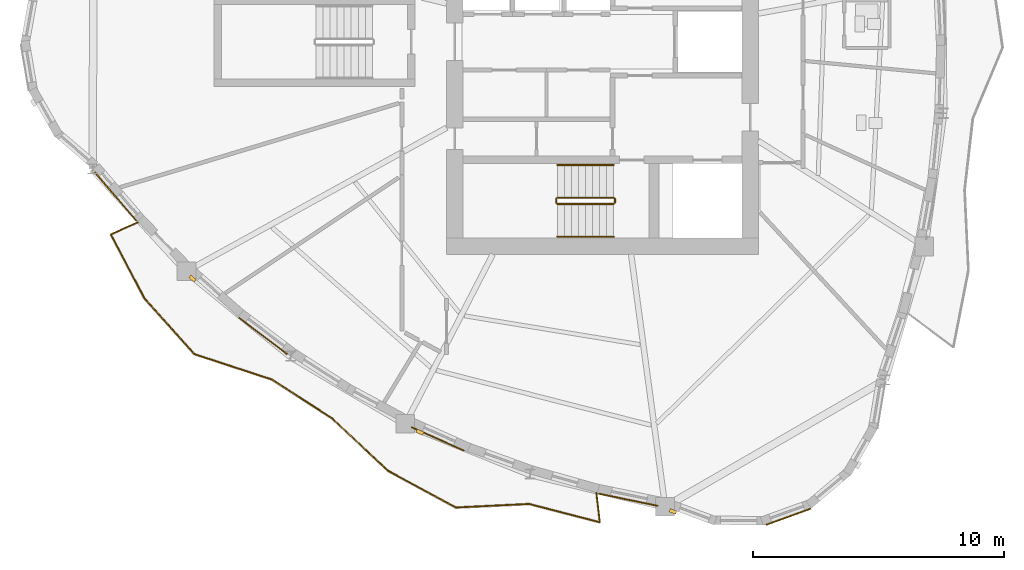
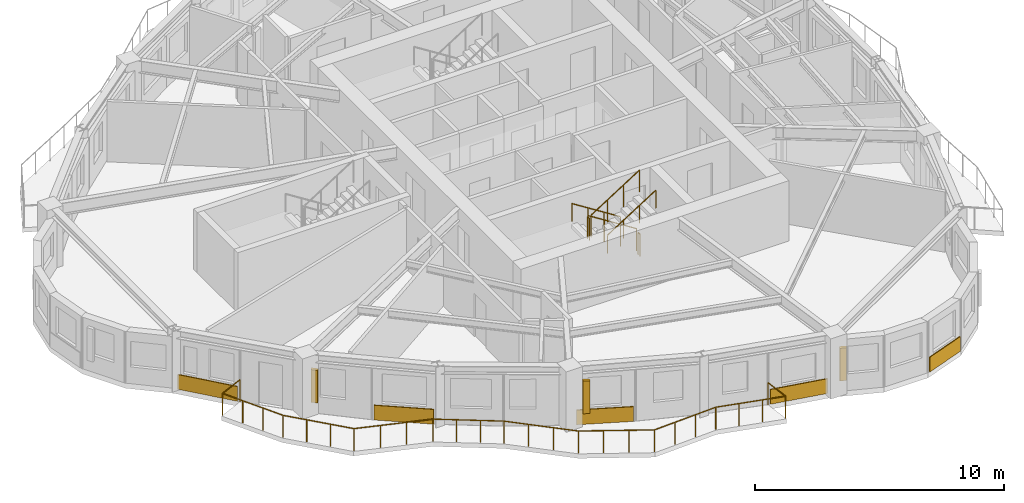
# One storey, part 9 of 12: 7 railings, 5 coverings, 3 shading devices.
"""IFC4 building model written with IfcOpenShell, lengths in metres."""

from ifc_helpers import new_model, si_unit, direction, frame, origin, origin_2d, place, context, subcontext, project, spatial, rectangle, circle, extrude, source, transform, mapped, material, layer, layer_set, type_object, element, save


model = new_model("IFC4")

# Units and contexts
model_context = context("Model", 3, precision=1e-05, world=origin(), true_north=direction((0.0, 1.0)))
body_context = subcontext(model_context, "Body", "Model", "MODEL_VIEW")
ifc_project = project(units=[si_unit("LENGTHUNIT", "METRE"), si_unit("AREAUNIT", "SQUARE_METRE"), si_unit("VOLUMEUNIT", "CUBIC_METRE"), si_unit("PLANEANGLEUNIT", "RADIAN"), si_unit("MASSUNIT", "GRAM", prefix="KILO")], contexts=[model_context])

# Site, building, storey
site_placement = place(None, origin())
site = spatial("IfcSite", under=ifc_project, at=site_placement, CompositionType="ELEMENT")
building_placement = place(site_placement, origin())
building = spatial("IfcBuilding", under=site, at=building_placement, Name="Qafzar Sky-Pleat Residences", CompositionType="ELEMENT")
storey_placement = place(building_placement, frame((0.0, 0.0, 142.60009765625)))
storey = spatial("IfcBuildingStorey", under=building, at=storey_placement, Name="L42", CompositionType="ELEMENT", Elevation=142.60009765625)

# Shading devices
ifc_material_1 = material(Name="Honed Riyadh limestone solar fin", Category="masonry")
ifc_layer_1 = layer(ifc_material_1, 0.139892578125)
ifc_layer_set_1 = layer_set([ifc_layer_1], Name="Honed Riyadh limestone solar fin")
shading_device_type = type_object("IfcShadingDeviceType", Name="SHD-FIN-STONE", PredefinedType="SHUTTER", material=ifc_layer_set_1)
shared_shape_1 = source(origin(), body_context, "Body", "SweptSolid", [
    extrude(rectangle(XDim=0.139892578125, YDim=0.280029296875, at=origin_2d()), origin(), (0.0, 0.0, 1.0), 1.60009765625),
])
for number, where, z_axis, x_axis, name in (
    (1, (14.044189453125, 16.58251953125, 0.599853515625), (0.0, 0.0, 1.0), (-0.660154622543, -0.751129732027, 0.0), "L42 Limestone Solar Fin 9"),
    (2, (23.09228515625, 10.475341796875, 0.599853515625), (0.0, 0.0, 1.0), (-0.407514902881, -0.913198556684, 0.0), "L42 Limestone Solar Fin 13"),
    (3, (33.1533203125, 7.322021484375, 0.599853515625), (0.0, 0.0, 1.0), (-0.349548623526, -0.936918224709, 0.0), "L42 Limestone Solar Fin 17"),
):
    element("IfcShadingDevice", number, at=place(storey_placement, frame(where, z_axis=z_axis, x_axis=x_axis)), inside=storey, type_object=shading_device_type, Name=name, PredefinedType="SHUTTER", context=body_context, shape_type="MappedRepresentation", body=[
        mapped(shared_shape_1, transform((0.0, 0.0, 0.0), x_axis=(1.0, 0.0, 0.0), y_axis=(0.0, 1.0, 0.0), z_axis=(0.0, 0.0, 1.0), scale=1.0)),
    ])

# Covering
ifc_material_2 = material(Name="Honed Riyadh Tuwaiq limestone cladding", Category="masonry")
ifc_layer_2 = layer(ifc_material_2, 0.044921875)
ifc_layer_set_2 = layer_set([ifc_layer_2], Name="Honed Riyadh Tuwaiq limestone cladding")
covering_type = type_object("IfcCoveringType", Name="COV-CLAD-STONE", PredefinedType="CLADDING", material=ifc_layer_set_2)
shared_shape_2 = source(origin(), body_context, "Body", "SweptSolid", [
    extrude(rectangle(XDim=1.897705078125, YDim=0.044921875, at=origin_2d()), origin(), (0.0, 0.0, 1.0), 0.719970703125),
])
covering_1_placement = place(storey_placement, frame((37.74560546875, 7.111328125, 0.02001953125), z_axis=(0.0, 0.0, 1.0), x_axis=(0.940241244016, 0.340509035199, 0.0)))
element("IfcCovering", 4, at=covering_1_placement, inside=storey, type_object=covering_type, Name="L42 Riyadh Limestone Spandrel Cladding 19", PredefinedType="CLADDING", context=body_context, shape_type="MappedRepresentation", body=[
    mapped(shared_shape_2, transform((0.0, 0.0, 0.0), x_axis=(1.0, 0.0, 0.0), y_axis=(0.0, 1.0, 0.0), z_axis=(0.0, 0.0, 1.0), scale=1.0)),
])

# Railing
ifc_material_3 = material(Name="Laminated glass and bronze steel balustrade", Category="steel")
railing_type_1 = type_object("IfcRailingType", Name="RAIL-BAL-1100", PredefinedType="BALUSTRADE", material=ifc_material_3)
shared_shape_3 = source(origin(), body_context, "Body", "SweptSolid", [
    extrude(circle(Radius=0.02392578125, at=origin_2d()), frame((0.0, 0.0, 1.076171875), z_axis=(-0.913554917383, -0.406715395486, 0.0), x_axis=(0.406715395486, -0.913554917383, 0.0)), (0.0, 0.0, 1.0), 1.177734375),
    extrude(circle(Radius=0.02392578125, at=origin_2d()), frame((-1.075927734375, -0.47900390625, 1.076171875), z_axis=(0.464378787341, -0.885636687286, 0.0), x_axis=(0.885636687286, 0.464378787341, 0.0)), (0.0, 0.0, 1.0), 2.87060546875),
    extrude(circle(Radius=0.02392578125, at=origin_2d()), frame((0.257080078125, -3.021240234375, 1.076171875), z_axis=(0.667835474356, -0.744308927255, 0.0), x_axis=(0.744308927255, 0.667835474356, 0.0)), (0.0, 0.0, 1.0), 2.98828125),
    extrude(circle(Radius=0.02392578125, at=origin_2d()), frame((2.252685546875, -5.245361328125, 1.076171875), z_axis=(0.950320557295, -0.311272932301, 0.0), x_axis=(0.311272932301, 0.950320557295, 0.0)), (0.0, 0.0, 1.0), 3.239990234375),
    extrude(circle(Radius=0.02392578125, at=origin_2d()), frame((5.331787109375, -6.25390625, 1.076171875), z_axis=(0.840382441824, -0.541993866639, 0.0), x_axis=(0.541993866639, 0.840382441824, 0.0)), (0.0, 0.0, 1.0), 2.84326171875),
    extrude(circle(Radius=0.02392578125, at=origin_2d()), frame((7.72119140625, -7.794921875, 1.076171875), z_axis=(0.730091672897, -0.683349214652, 0.0), x_axis=(0.683349214652, 0.730091672897, 0.0)), (0.0, 0.0, 1.0), 3.060791015625),
    extrude(circle(Radius=0.02392578125, at=origin_2d()), frame((9.955810546875, -9.886474609375, 1.076171875), z_axis=(0.879017095741, -0.476790253041, 0.0), x_axis=(0.476790253041, 0.879017095741, 0.0)), (0.0, 0.0, 1.0), 3.054931640625),
    extrude(circle(Radius=0.02392578125, at=origin_2d()), frame((12.64111328125, -11.343017578125, 1.076171875), z_axis=(0.998812648655, 0.048716453959, 0.0), x_axis=(-0.048716453959, 0.998812648655, 0.0)), (0.0, 0.0, 1.0), 2.921630859375),
    extrude(circle(Radius=0.02392578125, at=origin_2d()), frame((15.559326171875, -11.20068359375, 1.076171875), z_axis=(0.967804487232, -0.251703147565, 0.0), x_axis=(0.251703147565, 0.967804487232, 0.0)), (0.0, 0.0, 1.0), 2.904052734375),
    extrude(circle(Radius=0.02392578125, at=origin_2d()), frame((18.369873046875, -11.931640625, 1.076171875), z_axis=(-0.1166849202, 0.993168983304, 0.0), x_axis=(-0.993168983304, -0.1166849202, 0.0)), (0.0, 0.0, 1.0), 1.177978515625),
    extrude(circle(Radius=0.02099609375, at=origin_2d()), origin(), (0.0, 0.0, 1.0), 1.052001953125),
    extrude(circle(Radius=0.02099609375, at=origin_2d()), frame((-1.075927734375, -0.47900390625, 0.0)), (0.0, 0.0, 1.0), 1.052001953125),
    extrude(circle(Radius=0.02099609375, at=origin_2d()), frame((-0.631591796875, -1.326416015625, 0.0)), (0.0, 0.0, 1.0), 1.052001953125),
    extrude(circle(Radius=0.02099609375, at=origin_2d()), frame((-0.187255859375, -2.173828125, 0.0)), (0.0, 0.0, 1.0), 1.052001953125),
    extrude(circle(Radius=0.02099609375, at=origin_2d()), frame((0.257080078125, -3.021240234375, 0.0)), (0.0, 0.0, 1.0), 1.052001953125),
    extrude(circle(Radius=0.02099609375, at=origin_2d()), frame((0.92236328125, -3.7626953125, 0.0)), (0.0, 0.0, 1.0), 1.052001953125),
    extrude(circle(Radius=0.02099609375, at=origin_2d()), frame((1.58740234375, -4.50390625, 0.0)), (0.0, 0.0, 1.0), 1.052001953125),
    extrude(circle(Radius=0.02099609375, at=origin_2d()), frame((2.252685546875, -5.245361328125, 0.0)), (0.0, 0.0, 1.0), 1.052001953125),
    extrude(circle(Radius=0.02099609375, at=origin_2d()), frame((3.279052734375, -5.58154296875, 0.0)), (0.0, 0.0, 1.0), 1.052001953125),
    extrude(circle(Radius=0.02099609375, at=origin_2d()), frame((4.305419921875, -5.917724609375, 0.0)), (0.0, 0.0, 1.0), 1.052001953125),
    extrude(circle(Radius=0.02099609375, at=origin_2d()), frame((5.331787109375, -6.25390625, 0.0)), (0.0, 0.0, 1.0), 1.052001953125),
    extrude(circle(Radius=0.02099609375, at=origin_2d()), frame((6.128173828125, -6.767578125, 0.0)), (0.0, 0.0, 1.0), 1.052001953125),
    extrude(circle(Radius=0.02099609375, at=origin_2d()), frame((6.9248046875, -7.28125, 0.0)), (0.0, 0.0, 1.0), 1.052001953125),
    extrude(circle(Radius=0.02099609375, at=origin_2d()), frame((7.72119140625, -7.794921875, 0.0)), (0.0, 0.0, 1.0), 1.052001953125),
    extrude(circle(Radius=0.02099609375, at=origin_2d()), frame((8.466064453125, -8.4921875, 0.0)), (0.0, 0.0, 1.0), 1.052001953125),
    extrude(circle(Radius=0.02099609375, at=origin_2d()), frame((9.2109375, -9.189208984375, 0.0)), (0.0, 0.0, 1.0), 1.052001953125),
    extrude(circle(Radius=0.02099609375, at=origin_2d()), frame((9.955810546875, -9.886474609375, 0.0)), (0.0, 0.0, 1.0), 1.052001953125),
    extrude(circle(Radius=0.02099609375, at=origin_2d()), frame((10.850830078125, -10.3720703125, 0.0)), (0.0, 0.0, 1.0), 1.052001953125),
    extrude(circle(Radius=0.02099609375, at=origin_2d()), frame((11.74609375, -10.857421875, 0.0)), (0.0, 0.0, 1.0), 1.052001953125),
    extrude(circle(Radius=0.02099609375, at=origin_2d()), frame((12.64111328125, -11.343017578125, 0.0)), (0.0, 0.0, 1.0), 1.052001953125),
    extrude(circle(Radius=0.02099609375, at=origin_2d()), frame((13.61376953125, -11.295654296875, 0.0)), (0.0, 0.0, 1.0), 1.052001953125),
    extrude(circle(Radius=0.02099609375, at=origin_2d()), frame((14.586669921875, -11.248046875, 0.0)), (0.0, 0.0, 1.0), 1.052001953125),
    extrude(circle(Radius=0.02099609375, at=origin_2d()), frame((15.559326171875, -11.20068359375, 0.0)), (0.0, 0.0, 1.0), 1.052001953125),
    extrude(circle(Radius=0.02099609375, at=origin_2d()), frame((16.49609375, -11.4443359375, 0.0)), (0.0, 0.0, 1.0), 1.052001953125),
    extrude(circle(Radius=0.02099609375, at=origin_2d()), frame((17.43310546875, -11.68798828125, 0.0)), (0.0, 0.0, 1.0), 1.052001953125),
    extrude(circle(Radius=0.02099609375, at=origin_2d()), frame((18.369873046875, -11.931640625, 0.0)), (0.0, 0.0, 1.0), 1.052001953125),
    extrude(circle(Radius=0.02099609375, at=origin_2d()), frame((18.232421875, -10.76171875, 0.0)), (0.0, 0.0, 1.0), 1.052001953125),
])
railing_1_placement = place(storey_placement, frame((11.877197265625, 18.821533203125, 0.0)))
element("IfcRailing", 5, at=railing_1_placement, inside=storey, type_object=railing_type_1, Name="L42 Pleated Balcony 3 Balustrade", PredefinedType="BALUSTRADE", context=body_context, shape_type="MappedRepresentation", body=[
    mapped(shared_shape_3, transform((0.0, 0.0, 0.0), x_axis=(1.0, 0.0, 0.0), y_axis=(0.0, 1.0, 0.0), z_axis=(0.0, 0.0, 1.0), scale=1.0)),
])

# Coverings
shared_shape_4 = source(origin(), body_context, "Body", "SweptSolid", [
    extrude(rectangle(XDim=2.53173828125, YDim=0.044921875, at=origin_2d()), origin(), (0.0, 0.0, 1.0), 0.719970703125),
])
covering_2_placement = place(storey_placement, frame((10.981689453125, 19.851806640625, 0.02001953125), z_axis=(0.0, 0.0, 1.0), x_axis=(0.650337506648, -0.759645395857, 0.0)))
element("IfcCovering", 6, at=covering_2_placement, inside=storey, type_object=covering_type, Name="L42 Riyadh Limestone Spandrel Cladding 7", PredefinedType="CLADDING", context=body_context, shape_type="MappedRepresentation", body=[
    mapped(shared_shape_4, transform((0.0, 0.0, 0.0), x_axis=(1.0, 0.0, 0.0), y_axis=(0.0, 1.0, 0.0), z_axis=(0.0, 0.0, 1.0), scale=1.0)),
])
shared_shape_5 = source(origin(), body_context, "Body", "SweptSolid", [
    extrude(rectangle(XDim=2.411865234375, YDim=0.044921875, at=origin_2d()), origin(), (0.0, 0.0, 1.0), 0.719970703125),
])
covering_3_placement = place(storey_placement, frame((16.85595703125, 14.297119140625, 0.02001953125), z_axis=(0.0, 0.0, 1.0), x_axis=(0.798034410528, -0.602611881408, 0.0)))
element("IfcCovering", 7, at=covering_3_placement, inside=storey, type_object=covering_type, Name="L42 Riyadh Limestone Spandrel Cladding 10", PredefinedType="CLADDING", context=body_context, shape_type="MappedRepresentation", body=[
    mapped(shared_shape_5, transform((0.0, 0.0, 0.0), x_axis=(1.0, 0.0, 0.0), y_axis=(0.0, 1.0, 0.0), z_axis=(0.0, 0.0, 1.0), scale=1.0)),
])
shared_shape_6 = source(origin(), body_context, "Body", "SweptSolid", [
    extrude(rectangle(XDim=2.290283203125, YDim=0.044921875, at=origin_2d()), origin(), (0.0, 0.0, 1.0), 0.719970703125),
])
covering_4_placement = place(storey_placement, frame((23.803955078125, 10.204833984375, 0.02001953125), z_axis=(0.0, 0.0, 1.0), x_axis=(0.913204478407, -0.407501632655, 0.0)))
element("IfcCovering", 8, at=covering_4_placement, inside=storey, type_object=covering_type, Name="L42 Riyadh Limestone Spandrel Cladding 13", PredefinedType="CLADDING", context=body_context, shape_type="MappedRepresentation", body=[
    mapped(shared_shape_6, transform((0.0, 0.0, 0.0), x_axis=(1.0, 0.0, 0.0), y_axis=(0.0, 1.0, 0.0), z_axis=(0.0, 0.0, 1.0), scale=1.0)),
])
shared_shape_7 = source(origin(), body_context, "Body", "SweptSolid", [
    extrude(rectangle(XDim=2.410400390625, YDim=0.044921875, at=origin_2d()), origin(), (0.0, 0.0, 1.0), 0.719970703125),
])
covering_5_placement = place(storey_placement, frame((31.377685546875, 7.786865234375, 0.02001953125), z_axis=(0.0, 0.0, 1.0), x_axis=(0.979314287188, -0.202345068902, 0.0)))
element("IfcCovering", 9, at=covering_5_placement, inside=storey, type_object=covering_type, Name="L42 Riyadh Limestone Spandrel Cladding 16", PredefinedType="CLADDING", context=body_context, shape_type="MappedRepresentation", body=[
    mapped(shared_shape_7, transform((0.0, 0.0, 0.0), x_axis=(1.0, 0.0, 0.0), y_axis=(0.0, 1.0, 0.0), z_axis=(0.0, 0.0, 1.0), scale=1.0)),
])

# Railings
ifc_material_4 = material(Name="Painted Steel S355 stair guardrail", Category="steel")
railing_type_2 = type_object("IfcRailingType", Name="RAIL-STAIR-GUARD", PredefinedType="GUARDRAIL", material=ifc_material_4)
shared_shape_8 = source(origin(), body_context, "Body", "SweptSolid", [
    extrude(circle(Radius=0.02392578125, at=origin_2d()), frame((0.0, 0.0, 1.076171875), z_axis=(0.0, -1.0, 0.0), x_axis=(1.0, 0.0, 0.0)), (0.0, 0.0, 1.0), 0.14990234375),
    extrude(circle(Radius=0.02099609375, at=origin_2d()), origin(), (0.0, 0.0, 1.0), 1.052001953125),
    extrude(circle(Radius=0.02099609375, at=origin_2d()), frame((0.0, -0.14990234375, 0.0)), (0.0, 0.0, 1.0), 1.052001953125),
])
for number, where, name in (
    (10, (28.510009765625, 19.75, 1.599853515625), "L42 ST1 stair guard 2"),
    (11, (30.85009765625, 19.75, 0.0), "L42 ST1 stair guard 4"),
):
    element("IfcRailing", number, at=place(storey_placement, frame(where)), inside=storey, type_object=railing_type_2, Name=name, PredefinedType="GUARDRAIL", context=body_context, shape_type="MappedRepresentation", body=[
        mapped(shared_shape_8, transform((0.0, 0.0, 0.0), x_axis=(1.0, 0.0, 0.0), y_axis=(0.0, 1.0, 0.0), z_axis=(0.0, 0.0, 1.0), scale=1.0)),
    ])
shared_shape_9 = source(origin(), body_context, "Body", "SweptSolid", [
    extrude(circle(Radius=0.02392578125, at=origin_2d()), frame((0.0, 0.0, 1.076171875), z_axis=(-0.8442293374, 0.0, 0.53598211339), x_axis=(0.0, -1.0, 0.0)), (0.0, 0.0, 1.0), 2.6533203125),
    extrude(circle(Radius=0.02099609375, at=origin_2d()), origin(), (0.0, 0.0, 1.0), 1.052001953125),
    extrude(circle(Radius=0.02099609375, at=origin_2d()), frame((-0.74658203125, 0.0, 0.47412109375)), (0.0, 0.0, 1.0), 1.052001953125),
    extrude(circle(Radius=0.02099609375, at=origin_2d()), frame((-1.493408203125, 0.0, 0.947998046875)), (0.0, 0.0, 1.0), 1.052001953125),
    extrude(circle(Radius=0.02099609375, at=origin_2d()), frame((-2.239990234375, 0.0, 1.422119140625)), (0.0, 0.0, 1.0), 1.052001953125),
])
railing_2_placement = place(storey_placement, frame((30.800048828125, 19.800048828125, 0.177734375)))
element("IfcRailing", 12, at=railing_2_placement, inside=storey, type_object=railing_type_2, Name="L42 ST1 stair guard 1", PredefinedType="GUARDRAIL", context=body_context, shape_type="MappedRepresentation", body=[
    mapped(shared_shape_9, transform((0.0, 0.0, 0.0), x_axis=(1.0, 0.0, 0.0), y_axis=(0.0, 1.0, 0.0), z_axis=(0.0, 0.0, 1.0), scale=1.0)),
])
ifc_material_5 = material(Name="Brushed stainless steel handrail", Category="steel")
railing_type_3 = type_object("IfcRailingType", Name="RAIL-STAIR-HAND", PredefinedType="HANDRAIL", material=ifc_material_5)
shared_shape_10 = source(origin(), body_context, "Body", "SweptSolid", [
    extrude(circle(Radius=0.02392578125, at=origin_2d()), frame((0.0, 0.0, 0.8759765625), z_axis=(-0.8442293374, 0.0, 0.53598211339), x_axis=(0.0, -1.0, 0.0)), (0.0, 0.0, 1.0), 2.6533203125),
    extrude(circle(Radius=0.02099609375, at=origin_2d()), origin(), (0.0, 0.0, 1.0), 0.851806640625),
    extrude(circle(Radius=0.02099609375, at=origin_2d()), frame((-0.74658203125, 0.0, 0.47412109375)), (0.0, 0.0, 1.0), 0.851806640625),
    extrude(circle(Radius=0.02099609375, at=origin_2d()), frame((-1.493408203125, 0.0, 0.947998046875)), (0.0, 0.0, 1.0), 0.851806640625),
    extrude(circle(Radius=0.02099609375, at=origin_2d()), frame((-2.239990234375, 0.0, 1.422119140625)), (0.0, 0.0, 1.0), 0.851806640625),
])
railing_3_placement = place(storey_placement, frame((30.800048828125, 21.10009765625, 0.177734375)))
element("IfcRailing", 13, at=railing_3_placement, inside=storey, type_object=railing_type_3, Name="L42 ST1 stair handrail 1", PredefinedType="HANDRAIL", context=body_context, shape_type="MappedRepresentation", body=[
    mapped(shared_shape_10, transform((0.0, 0.0, 0.0), x_axis=(1.0, 0.0, 0.0), y_axis=(0.0, 1.0, 0.0), z_axis=(0.0, 0.0, 1.0), scale=1.0)),
])
shared_shape_11 = source(origin(), body_context, "Body", "SweptSolid", [
    extrude(circle(Radius=0.02392578125, at=origin_2d()), frame((0.0, 0.0, 1.076171875), z_axis=(0.84418770128, 0.0, 0.536047689118), x_axis=(0.0, 1.0, 0.0)), (0.0, 0.0, 1.0), 2.6533203125),
    extrude(circle(Radius=0.02099609375, at=origin_2d()), origin(), (0.0, 0.0, 1.0), 1.052001953125),
    extrude(circle(Radius=0.02099609375, at=origin_2d()), frame((0.74658203125, 0.0, 0.47412109375)), (0.0, 0.0, 1.0), 1.052001953125),
    extrude(circle(Radius=0.02099609375, at=origin_2d()), frame((1.493408203125, 0.0, 0.9482421875)), (0.0, 0.0, 1.0), 1.052001953125),
    extrude(circle(Radius=0.02099609375, at=origin_2d()), frame((2.239990234375, 0.0, 1.42236328125)), (0.0, 0.0, 1.0), 1.052001953125),
])
railing_4_placement = place(storey_placement, frame((28.56005859375, 19.550048828125, 1.777587890625)))
element("IfcRailing", 14, at=railing_4_placement, inside=storey, type_object=railing_type_2, Name="L42 ST1 stair guard 3", PredefinedType="GUARDRAIL", context=body_context, shape_type="MappedRepresentation", body=[
    mapped(shared_shape_11, transform((0.0, 0.0, 0.0), x_axis=(1.0, 0.0, 0.0), y_axis=(0.0, 1.0, 0.0), z_axis=(0.0, 0.0, 1.0), scale=1.0)),
])
shared_shape_12 = source(origin(), body_context, "Body", "SweptSolid", [
    extrude(circle(Radius=0.02392578125, at=origin_2d()), frame((0.0, 0.0, 0.8759765625), z_axis=(0.84418770128, 0.0, 0.536047689118), x_axis=(0.0, 1.0, 0.0)), (0.0, 0.0, 1.0), 2.6533203125),
    extrude(circle(Radius=0.02099609375, at=origin_2d()), origin(), (0.0, 0.0, 1.0), 0.851806640625),
    extrude(circle(Radius=0.02099609375, at=origin_2d()), frame((0.74658203125, 0.0, 0.47412109375)), (0.0, 0.0, 1.0), 0.851806640625),
    extrude(circle(Radius=0.02099609375, at=origin_2d()), frame((1.493408203125, 0.0, 0.9482421875)), (0.0, 0.0, 1.0), 0.851806640625),
    extrude(circle(Radius=0.02099609375, at=origin_2d()), frame((2.239990234375, 0.0, 1.42236328125)), (0.0, 0.0, 1.0), 0.851806640625),
])
railing_5_placement = place(storey_placement, frame((28.56005859375, 18.25, 1.777587890625)))
element("IfcRailing", 15, at=railing_5_placement, inside=storey, type_object=railing_type_3, Name="L42 ST1 stair handrail 2", PredefinedType="HANDRAIL", context=body_context, shape_type="MappedRepresentation", body=[
    mapped(shared_shape_12, transform((0.0, 0.0, 0.0), x_axis=(1.0, 0.0, 0.0), y_axis=(0.0, 1.0, 0.0), z_axis=(0.0, 0.0, 1.0), scale=1.0)),
])

save(model, "model.ifc")
